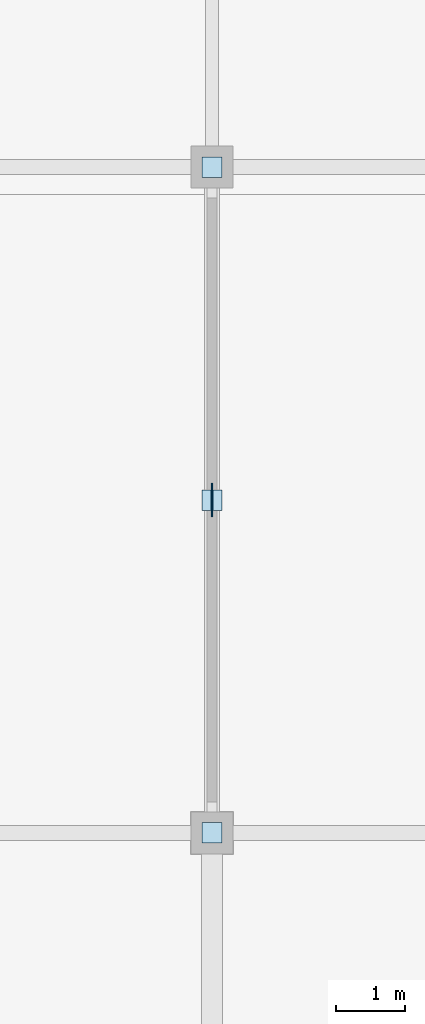
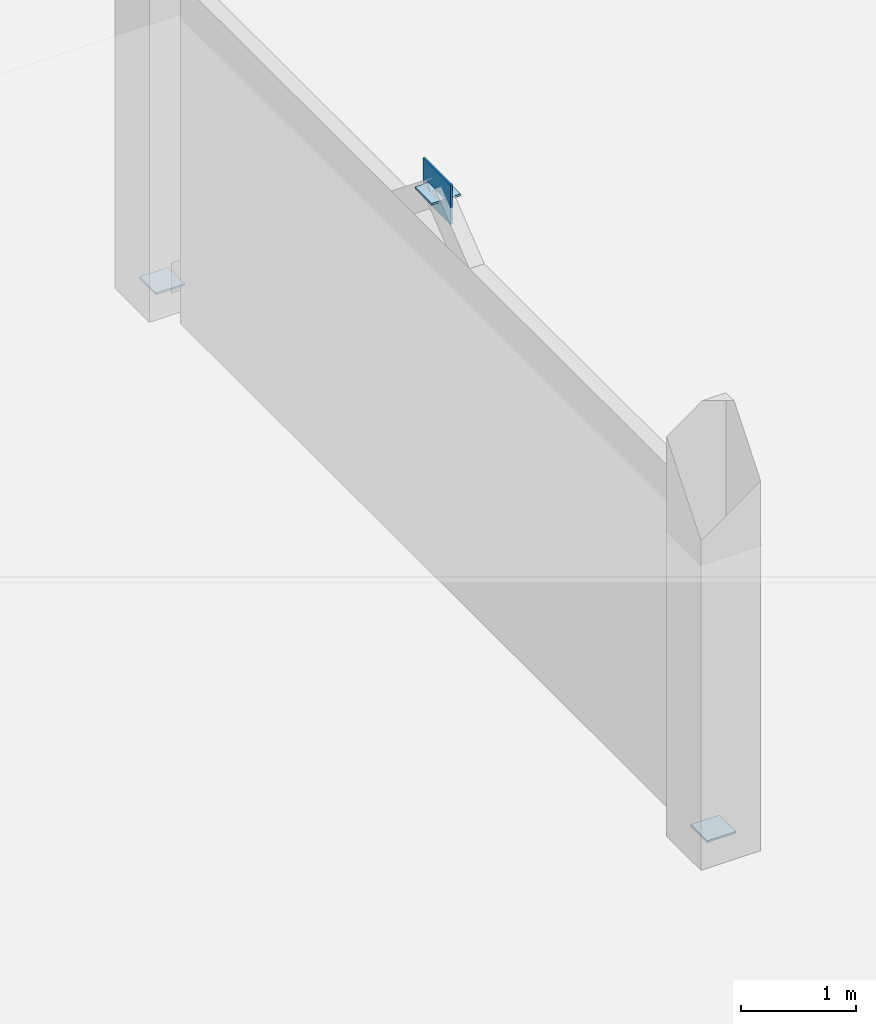
# One storey, part 97 of 113: 4 plates.
"""IFC4 building model written with IfcOpenShell, lengths in metres."""

from ifc_helpers import new_model, si_unit, direction, frame, origin, origin_2d, place, context, subcontext, project, spatial, rectangle, extrude, material, layer, layer_set, type_object, element, save


model = new_model("IFC4")

# Units and contexts
model_context = context("Model", 3, precision=1e-05, world=origin(), true_north=direction((0.0, 1.0)))
body_context = subcontext(model_context, "Body", "Model", "MODEL_VIEW")
ifc_project = project(units=[si_unit("LENGTHUNIT", "METRE"), si_unit("AREAUNIT", "SQUARE_METRE"), si_unit("VOLUMEUNIT", "CUBIC_METRE"), si_unit("PLANEANGLEUNIT", "RADIAN"), si_unit("MASSUNIT", "GRAM", prefix="KILO")], contexts=[model_context])

# Site, building, storey
site_placement = place(None, origin())
site = spatial("IfcSite", under=ifc_project, at=site_placement, CompositionType="ELEMENT")
building_placement = place(site_placement, origin())
building = spatial("IfcBuilding", under=site, at=building_placement, Name="Veltarok Museum of Natural Sciences", CompositionType="ELEMENT")
storey_placement = place(building_placement, frame((0.0, 0.0, 8.39990234375)))
storey = spatial("IfcBuildingStorey", under=building, at=storey_placement, Name="L01", CompositionType="ELEMENT", Elevation=8.39990234375)

# Plates
ifc_material = material(Name="Steel S355J2", Category="steel")
ifc_layer_1 = layer(ifc_material, 0.02001953125)
ifc_layer_set_1 = layer_set([ifc_layer_1], Name="Steel S355J2")
plate_type_1 = type_object("IfcPlateType", Name="Hollow End Closure Plate D290x20", PredefinedType="USERDEFINED", material=ifc_layer_set_1)
for number, where, z_axis, x_axis, name in (
    (1, (149.199951171875, 9.60302734375, 0.142578125), (0.0, 0.0, 1.0), (0.0, 1.0, 0.0), "End Cap Plate CP-273 462"),
    (2, (149.199951171875, 14.39697265625, 4.007568359375), (0.0, 0.0, 1.0), (0.0, 1.0, 0.0), "End Cap Plate CP-273 463"),
    (3, (149.199951171875, 19.19677734375, 0.142578125), (0.0, 0.0, 1.0), (0.0, 1.0, 0.0), "End Cap Plate CP-273 464"),
):
    element("IfcPlate", number, at=place(storey_placement, frame(where, z_axis=z_axis, x_axis=x_axis)), inside=storey, type_object=plate_type_1, Name=name, ObjectType="END CAP PLATE", PredefinedType="USERDEFINED", context=body_context, shape_type="SweptSolid", body=[
        extrude(rectangle(XDim=0.2900390625, YDim=0.2900390625, at=origin_2d()), origin(), (0.0, 0.0, 1.0), 0.02001953125),
    ])
ifc_layer_2 = layer(ifc_material, 0.02001953125)
ifc_layer_set_2 = layer_set([ifc_layer_2], Name="Steel S355J2")
plate_type_2 = type_object("IfcPlateType", Name="Lateral Brace Gusset Node Plate BN1", PredefinedType="USERDEFINED", material=ifc_layer_set_2)
plate_placement = place(storey_placement, frame((149.199951171875, 14.39990234375, 3.81005859375), z_axis=(0.0, 0.0, 1.0), x_axis=(1.0, 0.0, 0.0)))
element("IfcPlate", 4, at=plate_placement, inside=storey, type_object=plate_type_2, Name="Lateral Brace Apex Node BN1 33", ObjectType="GUSSET PLATE", PredefinedType="USERDEFINED", context=body_context, shape_type="SweptSolid", body=[
    extrude(rectangle(XDim=0.02001953125, YDim=0.47998046875, at=origin_2d()), origin(), (0.0, 0.0, 1.0), 0.419921875),
])

save(model, "model.ifc")
